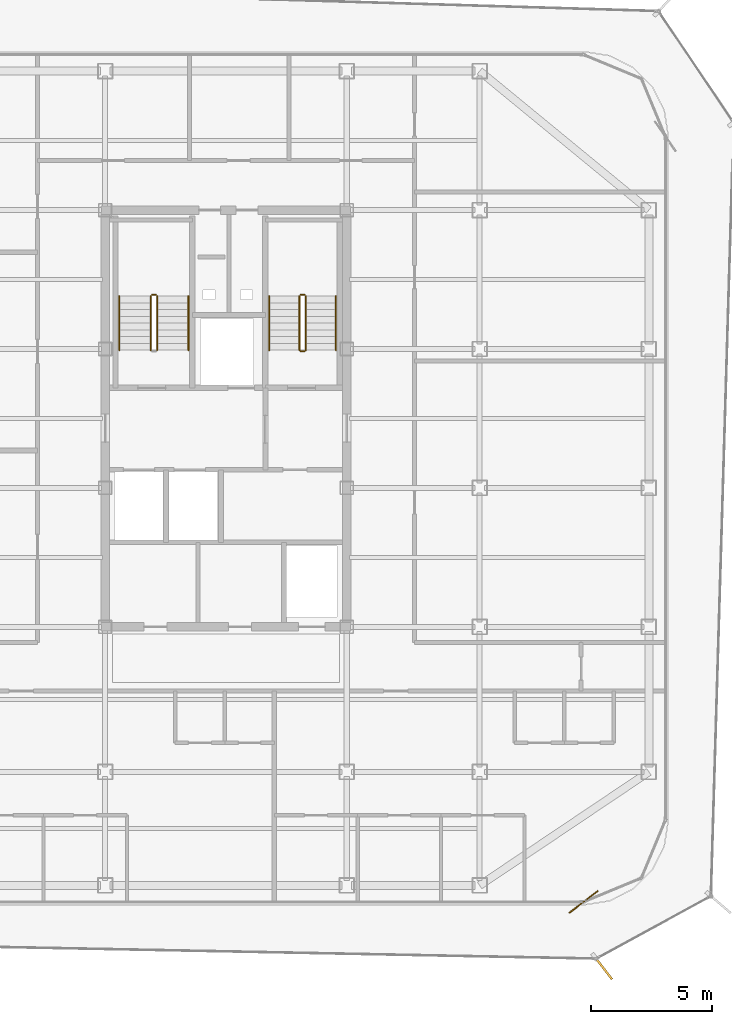
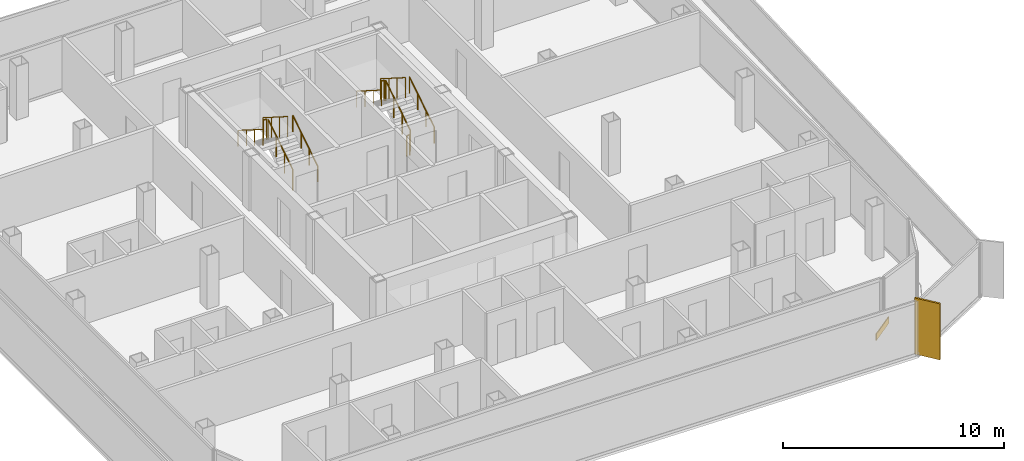
# One storey, part 14 of 15: 11 railings, 1 covering, 1 shading device.
"""IFC4 building model written with IfcOpenShell, lengths in metres."""

from ifc_helpers import new_model, si_unit, direction, frame, origin, origin_2d, place, context, subcontext, project, spatial, rectangle, circle, extrude, source, transform, mapped, material, layer, layer_set, type_object, element, save


model = new_model("IFC4")

# Units and contexts
model_context = context("Model", 3, precision=1e-05, world=origin(), true_north=direction((0.0, 1.0)))
body_context = subcontext(model_context, "Body", "Model", "MODEL_VIEW")
ifc_project = project(units=[si_unit("LENGTHUNIT", "METRE"), si_unit("AREAUNIT", "SQUARE_METRE"), si_unit("VOLUMEUNIT", "CUBIC_METRE"), si_unit("PLANEANGLEUNIT", "RADIAN"), si_unit("MASSUNIT", "GRAM", prefix="KILO")], contexts=[model_context])

# Site, building, storey
site_placement = place(None, origin())
site = spatial("IfcSite", under=ifc_project, at=site_placement, CompositionType="ELEMENT")
building_placement = place(site_placement, origin())
building = spatial("IfcBuilding", under=site, at=building_placement, Name="Kolveth Station Tower", CompositionType="ELEMENT")
storey_placement = place(building_placement, frame((0.0, 0.0, 258.5)))
storey = spatial("IfcBuildingStorey", under=building, at=storey_placement, Name="L74", CompositionType="ELEMENT", Elevation=258.5)

# Railings
ifc_material_1 = material(Name="Painted Steel S355 balustrade", Category="steel")
railing_type_1 = type_object("IfcRailingType", Name="Guard_GR2", PredefinedType="BALUSTRADE", material=ifc_material_1)
railing_1_placement = place(storey_placement, frame((20.64990234375, 22.949951171875, 0.177734375)))
element("IfcRailing", 1, at=railing_1_placement, inside=storey, type_object=railing_type_1, Name="L74 ST1 stair guard 1", PredefinedType="BALUSTRADE", context=body_context, shape_type="SweptSolid", body=[
    extrude(circle(Radius=0.02392578125, at=origin_2d()), frame((0.0, 0.0, 1.1259765625), z_axis=(0.0, 0.84418770128, 0.536047689118), x_axis=(-1.0, 0.0, 0.0)), (0.0, 0.0, 1.0), 2.6533203125),
    extrude(circle(Radius=0.02099609375, at=origin_2d()), origin(), (0.0, 0.0, 1.0), 1.101806640625),
    extrude(circle(Radius=0.02099609375, at=origin_2d()), frame((0.0, 0.74658203125, 0.47412109375)), (0.0, 0.0, 1.0), 1.101806640625),
    extrude(circle(Radius=0.02099609375, at=origin_2d()), frame((0.0, 1.493408203125, 0.9482421875)), (0.0, 0.0, 1.0), 1.101806640625),
    extrude(circle(Radius=0.02099609375, at=origin_2d()), frame((0.0, 2.239990234375, 1.42236328125)), (0.0, 0.0, 1.0), 1.101806640625),
])
railing_2_placement = place(storey_placement, frame((20.60009765625, 25.239990234375, 1.60009765625)))
element("IfcRailing", 2, at=railing_2_placement, inside=storey, type_object=railing_type_1, Name="L74 ST1 stair guard 2", PredefinedType="BALUSTRADE", context=body_context, shape_type="SweptSolid", body=[
    extrude(circle(Radius=0.02392578125, at=origin_2d()), frame((0.0, 0.0, 1.1259765625), z_axis=(-1.0, 0.0, 0.0), x_axis=(0.0, -1.0, 0.0)), (0.0, 0.0, 1.0), 0.16015625),
    extrude(circle(Radius=0.02099609375, at=origin_2d()), origin(), (0.0, 0.0, 1.0), 1.101806640625),
    extrude(circle(Radius=0.02099609375, at=origin_2d()), frame((-0.16015625, 0.0, 0.0)), (0.0, 0.0, 1.0), 1.101806640625),
])
railing_3_placement = place(storey_placement, frame((20.389892578125, 25.18994140625, 1.77783203125)))
element("IfcRailing", 3, at=railing_3_placement, inside=storey, type_object=railing_type_1, Name="L74 ST1 stair guard 3", PredefinedType="BALUSTRADE", context=body_context, shape_type="SweptSolid", body=[
    extrude(circle(Radius=0.02392578125, at=origin_2d()), frame((0.0, 0.0, 1.1259765625), z_axis=(0.0, -0.8442293374, 0.53598211339), x_axis=(1.0, 0.0, 0.0)), (0.0, 0.0, 1.0), 2.6533203125),
    extrude(circle(Radius=0.02099609375, at=origin_2d()), origin(), (0.0, 0.0, 1.0), 1.101806640625),
    extrude(circle(Radius=0.02099609375, at=origin_2d()), frame((0.0, -0.74658203125, 0.47412109375)), (0.0, 0.0, 1.0), 1.101806640625),
    extrude(circle(Radius=0.02099609375, at=origin_2d()), frame((0.0, -1.493408203125, 0.947998046875)), (0.0, 0.0, 1.0), 1.101806640625),
    extrude(circle(Radius=0.02099609375, at=origin_2d()), frame((0.0, -2.239990234375, 1.422119140625)), (0.0, 0.0, 1.0), 1.101806640625),
])
railing_4_placement = place(storey_placement, frame((26.800048828125, 22.949951171875, 0.177734375)))
element("IfcRailing", 4, at=railing_4_placement, inside=storey, type_object=railing_type_1, Name="L74 ST2 stair guard 1", PredefinedType="BALUSTRADE", context=body_context, shape_type="SweptSolid", body=[
    extrude(circle(Radius=0.02392578125, at=origin_2d()), frame((0.0, 0.0, 1.1259765625), z_axis=(0.0, 0.84418770128, 0.536047689118), x_axis=(-1.0, 0.0, 0.0)), (0.0, 0.0, 1.0), 2.6533203125),
    extrude(circle(Radius=0.02099609375, at=origin_2d()), origin(), (0.0, 0.0, 1.0), 1.101806640625),
    extrude(circle(Radius=0.02099609375, at=origin_2d()), frame((0.0, 0.74658203125, 0.47412109375)), (0.0, 0.0, 1.0), 1.101806640625),
    extrude(circle(Radius=0.02099609375, at=origin_2d()), frame((0.0, 1.493408203125, 0.9482421875)), (0.0, 0.0, 1.0), 1.101806640625),
    extrude(circle(Radius=0.02099609375, at=origin_2d()), frame((0.0, 2.239990234375, 1.42236328125)), (0.0, 0.0, 1.0), 1.101806640625),
])
railing_5_placement = place(storey_placement, frame((26.75, 25.239990234375, 1.60009765625)))
element("IfcRailing", 5, at=railing_5_placement, inside=storey, type_object=railing_type_1, Name="L74 ST2 stair guard 2", PredefinedType="BALUSTRADE", context=body_context, shape_type="SweptSolid", body=[
    extrude(circle(Radius=0.02392578125, at=origin_2d()), frame((0.0, 0.0, 1.1259765625), z_axis=(-1.0, 0.0, 0.0), x_axis=(0.0, -1.0, 0.0)), (0.0, 0.0, 1.0), 0.159912109375),
    extrude(circle(Radius=0.02099609375, at=origin_2d()), origin(), (0.0, 0.0, 1.0), 1.101806640625),
    extrude(circle(Radius=0.02099609375, at=origin_2d()), frame((-0.159912109375, 0.0, 0.0)), (0.0, 0.0, 1.0), 1.101806640625),
])
railing_6_placement = place(storey_placement, frame((26.5400390625, 25.18994140625, 1.77783203125)))
element("IfcRailing", 6, at=railing_6_placement, inside=storey, type_object=railing_type_1, Name="L74 ST2 stair guard 3", PredefinedType="BALUSTRADE", context=body_context, shape_type="SweptSolid", body=[
    extrude(circle(Radius=0.02392578125, at=origin_2d()), frame((0.0, 0.0, 1.1259765625), z_axis=(0.0, -0.8442293374, 0.53598211339), x_axis=(1.0, 0.0, 0.0)), (0.0, 0.0, 1.0), 2.6533203125),
    extrude(circle(Radius=0.02099609375, at=origin_2d()), origin(), (0.0, 0.0, 1.0), 1.101806640625),
    extrude(circle(Radius=0.02099609375, at=origin_2d()), frame((0.0, -0.74658203125, 0.47412109375)), (0.0, 0.0, 1.0), 1.101806640625),
    extrude(circle(Radius=0.02099609375, at=origin_2d()), frame((0.0, -1.493408203125, 0.947998046875)), (0.0, 0.0, 1.0), 1.101806640625),
    extrude(circle(Radius=0.02099609375, at=origin_2d()), frame((0.0, -2.239990234375, 1.422119140625)), (0.0, 0.0, 1.0), 1.101806640625),
])
railing_7_placement = place(storey_placement, frame((26.75, 22.89990234375, 0.0)))
element("IfcRailing", 7, at=railing_7_placement, inside=storey, type_object=railing_type_1, Name="L74 ST2 stair guard 4", PredefinedType="BALUSTRADE", context=body_context, shape_type="SweptSolid", body=[
    extrude(circle(Radius=0.02392578125, at=origin_2d()), frame((0.0, 0.0, 1.1259765625), z_axis=(-1.0, 0.0, 0.0), x_axis=(0.0, -1.0, 0.0)), (0.0, 0.0, 1.0), 0.159912109375),
    extrude(circle(Radius=0.02099609375, at=origin_2d()), origin(), (0.0, 0.0, 1.0), 1.101806640625),
    extrude(circle(Radius=0.02099609375, at=origin_2d()), frame((-0.159912109375, 0.0, 0.0)), (0.0, 0.0, 1.0), 1.101806640625),
])
ifc_material_2 = material(Name="Brushed stainless steel", Category="steel")
railing_type_2 = type_object("IfcRailingType", Name="Handrail_HR1", PredefinedType="HANDRAIL", material=ifc_material_2)
railing_8_placement = place(storey_placement, frame((21.949951171875, 22.949951171875, 0.177734375)))
element("IfcRailing", 8, at=railing_8_placement, inside=storey, type_object=railing_type_2, Name="L74 ST1 stair handrail 1", PredefinedType="HANDRAIL", context=body_context, shape_type="SweptSolid", body=[
    extrude(circle(Radius=0.02392578125, at=origin_2d()), frame((0.0, 0.0, 0.8759765625), z_axis=(0.0, 0.84418770128, 0.536047689118), x_axis=(-1.0, 0.0, 0.0)), (0.0, 0.0, 1.0), 2.6533203125),
    extrude(circle(Radius=0.02099609375, at=origin_2d()), origin(), (0.0, 0.0, 1.0), 0.851806640625),
    extrude(circle(Radius=0.02099609375, at=origin_2d()), frame((0.0, 0.74658203125, 0.47412109375)), (0.0, 0.0, 1.0), 0.851806640625),
    extrude(circle(Radius=0.02099609375, at=origin_2d()), frame((0.0, 1.493408203125, 0.9482421875)), (0.0, 0.0, 1.0), 0.851806640625),
    extrude(circle(Radius=0.02099609375, at=origin_2d()), frame((0.0, 2.239990234375, 1.42236328125)), (0.0, 0.0, 1.0), 0.851806640625),
])
railing_9_placement = place(storey_placement, frame((19.090087890625, 25.18994140625, 1.77783203125)))
element("IfcRailing", 9, at=railing_9_placement, inside=storey, type_object=railing_type_2, Name="L74 ST1 stair handrail 2", PredefinedType="HANDRAIL", context=body_context, shape_type="SweptSolid", body=[
    extrude(circle(Radius=0.02392578125, at=origin_2d()), frame((0.0, 0.0, 0.8759765625), z_axis=(0.0, -0.8442293374, 0.53598211339), x_axis=(1.0, 0.0, 0.0)), (0.0, 0.0, 1.0), 2.6533203125),
    extrude(circle(Radius=0.02099609375, at=origin_2d()), origin(), (0.0, 0.0, 1.0), 0.851806640625),
    extrude(circle(Radius=0.02099609375, at=origin_2d()), frame((0.0, -0.74658203125, 0.47412109375)), (0.0, 0.0, 1.0), 0.851806640625),
    extrude(circle(Radius=0.02099609375, at=origin_2d()), frame((0.0, -1.493408203125, 0.947998046875)), (0.0, 0.0, 1.0), 0.851806640625),
    extrude(circle(Radius=0.02099609375, at=origin_2d()), frame((0.0, -2.239990234375, 1.422119140625)), (0.0, 0.0, 1.0), 0.851806640625),
])
railing_10_placement = place(storey_placement, frame((28.050048828125, 22.949951171875, 0.177734375)))
element("IfcRailing", 10, at=railing_10_placement, inside=storey, type_object=railing_type_2, Name="L74 ST2 stair handrail 1", PredefinedType="HANDRAIL", context=body_context, shape_type="SweptSolid", body=[
    extrude(circle(Radius=0.02392578125, at=origin_2d()), frame((0.0, 0.0, 0.8759765625), z_axis=(0.0, 0.84418770128, 0.536047689118), x_axis=(-1.0, 0.0, 0.0)), (0.0, 0.0, 1.0), 2.6533203125),
    extrude(circle(Radius=0.02099609375, at=origin_2d()), origin(), (0.0, 0.0, 1.0), 0.851806640625),
    extrude(circle(Radius=0.02099609375, at=origin_2d()), frame((0.0, 0.74658203125, 0.47412109375)), (0.0, 0.0, 1.0), 0.851806640625),
    extrude(circle(Radius=0.02099609375, at=origin_2d()), frame((0.0, 1.493408203125, 0.9482421875)), (0.0, 0.0, 1.0), 0.851806640625),
    extrude(circle(Radius=0.02099609375, at=origin_2d()), frame((0.0, 2.239990234375, 1.42236328125)), (0.0, 0.0, 1.0), 0.851806640625),
])
railing_11_placement = place(storey_placement, frame((25.2900390625, 25.18994140625, 1.77783203125)))
element("IfcRailing", 11, at=railing_11_placement, inside=storey, type_object=railing_type_2, Name="L74 ST2 stair handrail 2", PredefinedType="HANDRAIL", context=body_context, shape_type="SweptSolid", body=[
    extrude(circle(Radius=0.02392578125, at=origin_2d()), frame((0.0, 0.0, 0.8759765625), z_axis=(0.0, -0.8442293374, 0.53598211339), x_axis=(1.0, 0.0, 0.0)), (0.0, 0.0, 1.0), 2.6533203125),
    extrude(circle(Radius=0.02099609375, at=origin_2d()), origin(), (0.0, 0.0, 1.0), 0.851806640625),
    extrude(circle(Radius=0.02099609375, at=origin_2d()), frame((0.0, -0.74658203125, 0.47412109375)), (0.0, 0.0, 1.0), 0.851806640625),
    extrude(circle(Radius=0.02099609375, at=origin_2d()), frame((0.0, -1.493408203125, 0.947998046875)), (0.0, 0.0, 1.0), 0.851806640625),
    extrude(circle(Radius=0.02099609375, at=origin_2d()), frame((0.0, -2.239990234375, 1.422119140625)), (0.0, 0.0, 1.0), 0.851806640625),
])

# Shading device
ifc_material_3 = material(Name="Black anodized aluminium 6063-T6", Category="aluminium")
shading_device_type = type_object("IfcShadingDeviceType", Name="FIN_VF1", PredefinedType="USERDEFINED", material=ifc_material_3)
shared_shape_1 = source(origin(), body_context, "Body", "SweptSolid", [
    extrude(rectangle(XDim=1.25, YDim=0.090087890625, at=origin_2d()), origin(), (0.0, 0.0, 1.0), 3.10009765625),
])
shading_device_placement = place(storey_placement, frame((39.095947265625, -2.590087890625, 0.0), z_axis=(0.0, 0.0, 1.0), x_axis=(0.610421687982, -0.79207661425, 0.0)))
element("IfcShadingDevice", 12, at=shading_device_placement, inside=storey, type_object=shading_device_type, Name="L74 Dark-Aluminium Solar Fin 1", ObjectType="FIN", PredefinedType="USERDEFINED", context=body_context, shape_type="MappedRepresentation", body=[
    mapped(shared_shape_1, transform((0.0, 0.0, 0.0), x_axis=(1.0, 0.0, 0.0), y_axis=(0.0, 1.0, 0.0), z_axis=(0.0, 0.0, 1.0), scale=1.0)),
])

# Covering
ifc_material_4 = material(Name="Charcoal anodized aluminium spandrel cladding", Category="aluminium")
ifc_layer = layer(ifc_material_4, 0.044921875)
ifc_layer_set = layer_set([ifc_layer], Name="Charcoal anodized aluminium spandrel cladding")
covering_type = type_object("IfcCoveringType", Name="Clad_CD1", PredefinedType="CLADDING", material=ifc_layer_set)
shared_shape_2 = source(origin(), body_context, "Body", "SweptSolid", [
    extrude(rectangle(XDim=1.5, YDim=0.044921875, at=origin_2d()), origin(), (0.0, 0.0, 1.0), 0.360107421875),
])
covering_placement = place(storey_placement, frame((38.300048828125, 0.1201171875, 0.0), z_axis=(0.0, 0.0, 1.0), x_axis=(0.79207661425, 0.610421687982, 0.0)))
element("IfcCovering", 13, at=covering_placement, inside=storey, type_object=covering_type, Name="L74 Spandrel Edge Cladding 1", PredefinedType="CLADDING", context=body_context, shape_type="MappedRepresentation", body=[
    mapped(shared_shape_2, transform((0.0, 0.0, 0.0), x_axis=(1.0, 0.0, 0.0), y_axis=(0.0, 1.0, 0.0), z_axis=(0.0, 0.0, 1.0), scale=1.0)),
])

save(model, "model.ifc")
